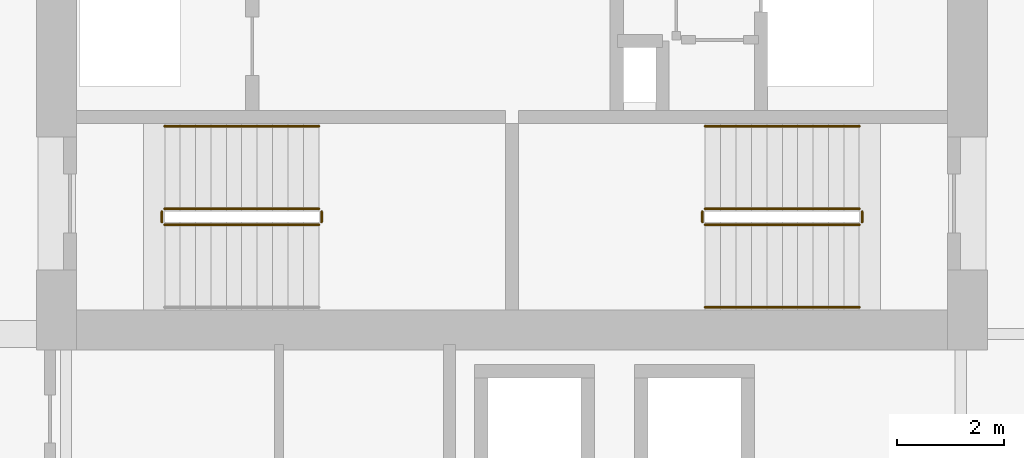
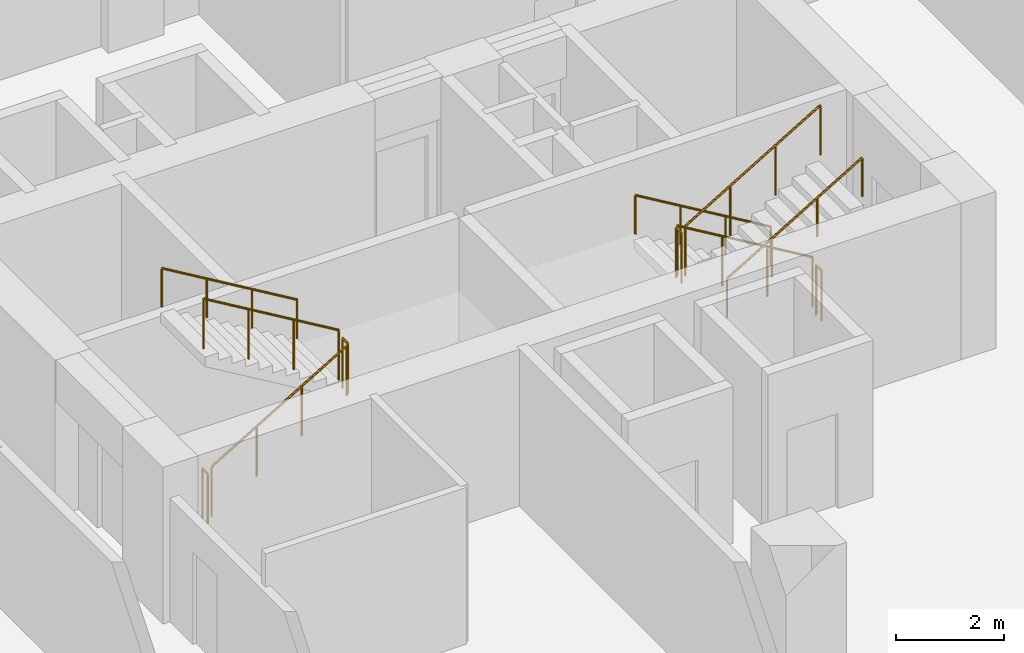
# One storey, part 15 of 17: 11 railings.
"""IFC4 building model written with IfcOpenShell, lengths in metres."""

from ifc_helpers import new_model, si_unit, direction, frame, origin, origin_2d, place, context, subcontext, project, spatial, circle, extrude, material, type_object, element, save


model = new_model("IFC4")

# Units and contexts
model_context = context("Model", 3, precision=1e-05, world=origin(), true_north=direction((0.0, 1.0)))
body_context = subcontext(model_context, "Body", "Model", "MODEL_VIEW")
ifc_project = project(units=[si_unit("LENGTHUNIT", "METRE"), si_unit("AREAUNIT", "SQUARE_METRE"), si_unit("VOLUMEUNIT", "CUBIC_METRE"), si_unit("PLANEANGLEUNIT", "RADIAN"), si_unit("MASSUNIT", "GRAM", prefix="KILO")], contexts=[model_context])

# Site, building, storey
site_placement = place(None, origin())
site = spatial("IfcSite", under=ifc_project, at=site_placement, CompositionType="ELEMENT")
building_placement = place(site_placement, origin())
building = spatial("IfcBuilding", under=site, at=building_placement, Name="Koriwani Terraces Tower", CompositionType="ELEMENT")
storey_placement = place(building_placement, frame((0.0, 0.0, 122.800048828125)))
storey = spatial("IfcBuildingStorey", under=building, at=storey_placement, Name="L29", CompositionType="ELEMENT", Elevation=122.800048828125)

# Railings
ifc_material = material(Name="Steel ASTM A572 Grade 50", Category="steel")
railing_type_1 = type_object("IfcRailingType", Name="GUARD_STAIR_WELL_1120", PredefinedType="GUARDRAIL", material=ifc_material)
railing_1_placement = place(storey_placement, frame((43.85009765625, 18.85009765625, 0.172607421875)))
element("IfcRailing", 1, at=railing_1_placement, inside=storey, type_object=railing_type_1, Name="L29 ST-E1 stair guard 1", PredefinedType="GUARDRAIL", context=body_context, shape_type="SweptSolid", body=[
    extrude(circle(Radius=0.02392578125, at=origin_2d()), frame((0.0, 0.0, 1.1259765625), z_axis=(0.859141464434, 0.0, 0.511738159696), x_axis=(0.0, 1.0, 0.0)), (0.0, 0.0, 1.0), 3.375244140625),
    extrude(circle(Radius=0.02099609375, at=origin_2d()), origin(), (0.0, 0.0, 1.0), 1.101806640625),
    extrude(circle(Radius=0.02099609375, at=origin_2d()), frame((0.966552734375, 0.0, 0.57568359375)), (0.0, 0.0, 1.0), 1.101806640625),
    extrude(circle(Radius=0.02099609375, at=origin_2d()), frame((1.933349609375, 0.0, 1.151611328125)), (0.0, 0.0, 1.0), 1.101806640625),
    extrude(circle(Radius=0.02099609375, at=origin_2d()), frame((2.89990234375, 0.0, 1.727294921875)), (0.0, 0.0, 1.0), 1.101806640625),
])
railing_2_placement = place(storey_placement, frame((46.800048828125, 18.89990234375, 1.89990234375)))
element("IfcRailing", 2, at=railing_2_placement, inside=storey, type_object=railing_type_1, Name="L29 ST-E1 stair guard 2", PredefinedType="GUARDRAIL", context=body_context, shape_type="SweptSolid", body=[
    extrude(circle(Radius=0.02392578125, at=origin_2d()), frame((0.0, 0.0, 1.1259765625), z_axis=(0.0, 1.0, 0.0), x_axis=(-1.0, 0.0, 0.0)), (0.0, 0.0, 1.0), 0.2001953125),
    extrude(circle(Radius=0.02099609375, at=origin_2d()), origin(), (0.0, 0.0, 1.0), 1.101806640625),
    extrude(circle(Radius=0.02099609375, at=origin_2d()), frame((0.0, 0.2001953125, 0.0)), (0.0, 0.0, 1.0), 1.101806640625),
])
railing_3_placement = place(storey_placement, frame((46.75, 19.14990234375, 2.07275390625)))
element("IfcRailing", 3, at=railing_3_placement, inside=storey, type_object=railing_type_1, Name="L29 ST-E1 stair guard 3", PredefinedType="GUARDRAIL", context=body_context, shape_type="SweptSolid", body=[
    extrude(circle(Radius=0.02392578125, at=origin_2d()), frame((0.0, 0.0, 1.1259765625), z_axis=(-0.859141464434, 0.0, 0.511738159696), x_axis=(0.0, -1.0, 0.0)), (0.0, 0.0, 1.0), 3.375244140625),
    extrude(circle(Radius=0.02099609375, at=origin_2d()), origin(), (0.0, 0.0, 1.0), 1.101806640625),
    extrude(circle(Radius=0.02099609375, at=origin_2d()), frame((-0.966552734375, 0.0, 0.57568359375)), (0.0, 0.0, 1.0), 1.101806640625),
    extrude(circle(Radius=0.02099609375, at=origin_2d()), frame((-1.933349609375, 0.0, 1.151611328125)), (0.0, 0.0, 1.0), 1.101806640625),
    extrude(circle(Radius=0.02099609375, at=origin_2d()), frame((-2.89990234375, 0.0, 1.727294921875)), (0.0, 0.0, 1.0), 1.101806640625),
])
railing_4_placement = place(storey_placement, frame((43.800048828125, 18.89990234375, 0.0)))
element("IfcRailing", 4, at=railing_4_placement, inside=storey, type_object=railing_type_1, Name="L29 ST-E1 stair guard 4", PredefinedType="GUARDRAIL", context=body_context, shape_type="SweptSolid", body=[
    extrude(circle(Radius=0.02392578125, at=origin_2d()), frame((0.0, 0.0, 1.1259765625), z_axis=(0.0, 1.0, 0.0), x_axis=(-1.0, 0.0, 0.0)), (0.0, 0.0, 1.0), 0.2001953125),
    extrude(circle(Radius=0.02099609375, at=origin_2d()), origin(), (0.0, 0.0, 1.0), 1.101806640625),
    extrude(circle(Radius=0.02099609375, at=origin_2d()), frame((0.0, 0.2001953125, 0.0)), (0.0, 0.0, 1.0), 1.101806640625),
])
railing_5_placement = place(storey_placement, frame((56.89990234375, 19.14990234375, 0.172607421875)))
element("IfcRailing", 5, at=railing_5_placement, inside=storey, type_object=railing_type_1, Name="L29 ST-E2 stair guard 1", PredefinedType="GUARDRAIL", context=body_context, shape_type="SweptSolid", body=[
    extrude(circle(Radius=0.02392578125, at=origin_2d()), frame((0.0, 0.0, 1.1259765625), z_axis=(-0.859141464434, 0.0, 0.511738159696), x_axis=(0.0, -1.0, 0.0)), (0.0, 0.0, 1.0), 3.375244140625),
    extrude(circle(Radius=0.02099609375, at=origin_2d()), origin(), (0.0, 0.0, 1.0), 1.101806640625),
    extrude(circle(Radius=0.02099609375, at=origin_2d()), frame((-0.966552734375, 0.0, 0.57568359375)), (0.0, 0.0, 1.0), 1.101806640625),
    extrude(circle(Radius=0.02099609375, at=origin_2d()), frame((-1.933349609375, 0.0, 1.151611328125)), (0.0, 0.0, 1.0), 1.101806640625),
    extrude(circle(Radius=0.02099609375, at=origin_2d()), frame((-2.89990234375, 0.0, 1.727294921875)), (0.0, 0.0, 1.0), 1.101806640625),
])
railing_6_placement = place(storey_placement, frame((53.949951171875, 19.10009765625, 1.89990234375)))
element("IfcRailing", 6, at=railing_6_placement, inside=storey, type_object=railing_type_1, Name="L29 ST-E2 stair guard 2", PredefinedType="GUARDRAIL", context=body_context, shape_type="SweptSolid", body=[
    extrude(circle(Radius=0.02392578125, at=origin_2d()), frame((0.0, 0.0, 1.1259765625), z_axis=(0.0, -1.0, 0.0), x_axis=(1.0, 0.0, 0.0)), (0.0, 0.0, 1.0), 0.2001953125),
    extrude(circle(Radius=0.02099609375, at=origin_2d()), origin(), (0.0, 0.0, 1.0), 1.101806640625),
    extrude(circle(Radius=0.02099609375, at=origin_2d()), frame((0.0, -0.2001953125, 0.0)), (0.0, 0.0, 1.0), 1.101806640625),
])
railing_7_placement = place(storey_placement, frame((54.0, 18.85009765625, 2.07275390625)))
element("IfcRailing", 7, at=railing_7_placement, inside=storey, type_object=railing_type_1, Name="L29 ST-E2 stair guard 3", PredefinedType="GUARDRAIL", context=body_context, shape_type="SweptSolid", body=[
    extrude(circle(Radius=0.02392578125, at=origin_2d()), frame((0.0, 0.0, 1.1259765625), z_axis=(0.859141464434, 0.0, 0.511738159696), x_axis=(0.0, 1.0, 0.0)), (0.0, 0.0, 1.0), 3.375244140625),
    extrude(circle(Radius=0.02099609375, at=origin_2d()), origin(), (0.0, 0.0, 1.0), 1.101806640625),
    extrude(circle(Radius=0.02099609375, at=origin_2d()), frame((0.966552734375, 0.0, 0.57568359375)), (0.0, 0.0, 1.0), 1.101806640625),
    extrude(circle(Radius=0.02099609375, at=origin_2d()), frame((1.933349609375, 0.0, 1.151611328125)), (0.0, 0.0, 1.0), 1.101806640625),
    extrude(circle(Radius=0.02099609375, at=origin_2d()), frame((2.89990234375, 0.0, 1.727294921875)), (0.0, 0.0, 1.0), 1.101806640625),
])
railing_8_placement = place(storey_placement, frame((56.949951171875, 19.10009765625, 0.0)))
element("IfcRailing", 8, at=railing_8_placement, inside=storey, type_object=railing_type_1, Name="L29 ST-E2 stair guard 4", PredefinedType="GUARDRAIL", context=body_context, shape_type="SweptSolid", body=[
    extrude(circle(Radius=0.02392578125, at=origin_2d()), frame((0.0, 0.0, 1.1259765625), z_axis=(0.0, -1.0, 0.0), x_axis=(1.0, 0.0, 0.0)), (0.0, 0.0, 1.0), 0.2001953125),
    extrude(circle(Radius=0.02099609375, at=origin_2d()), origin(), (0.0, 0.0, 1.0), 1.101806640625),
    extrude(circle(Radius=0.02099609375, at=origin_2d()), frame((0.0, -0.2001953125, 0.0)), (0.0, 0.0, 1.0), 1.101806640625),
])
railing_type_2 = type_object("IfcRailingType", Name="HANDRAIL_STAIR_920", PredefinedType="HANDRAIL", material=ifc_material)
for number, where, name in (
    (9, (46.75, 20.699951171875, 2.07275390625), "L29 ST-E1 stair handrail 2"),
    (10, (56.89990234375, 20.699951171875, 0.172607421875), "L29 ST-E2 stair handrail 1"),
):
    element("IfcRailing", number, at=place(storey_placement, frame(where)), inside=storey, type_object=railing_type_2, Name=name, PredefinedType="HANDRAIL", context=body_context, shape_type="SweptSolid", body=[
        extrude(circle(Radius=0.02392578125, at=origin_2d()), frame((0.0, 0.0, 0.8759765625), z_axis=(-0.859141464434, 0.0, 0.511738159696), x_axis=(0.0, -1.0, 0.0)), (0.0, 0.0, 1.0), 3.375244140625),
        extrude(circle(Radius=0.02099609375, at=origin_2d()), origin(), (0.0, 0.0, 1.0), 0.851806640625),
        extrude(circle(Radius=0.02099609375, at=origin_2d()), frame((-0.966552734375, 0.0, 0.57568359375)), (0.0, 0.0, 1.0), 0.851806640625),
        extrude(circle(Radius=0.02099609375, at=origin_2d()), frame((-1.933349609375, 0.0, 1.151611328125)), (0.0, 0.0, 1.0), 0.851806640625),
        extrude(circle(Radius=0.02099609375, at=origin_2d()), frame((-2.89990234375, 0.0, 1.727294921875)), (0.0, 0.0, 1.0), 0.851806640625),
    ])
railing_9_placement = place(storey_placement, frame((54.0, 17.300048828125, 2.07275390625)))
element("IfcRailing", 11, at=railing_9_placement, inside=storey, type_object=railing_type_2, Name="L29 ST-E2 stair handrail 2", PredefinedType="HANDRAIL", context=body_context, shape_type="SweptSolid", body=[
    extrude(circle(Radius=0.02392578125, at=origin_2d()), frame((0.0, 0.0, 0.8759765625), z_axis=(0.859141464434, 0.0, 0.511738159696), x_axis=(0.0, 1.0, 0.0)), (0.0, 0.0, 1.0), 3.375244140625),
    extrude(circle(Radius=0.02099609375, at=origin_2d()), origin(), (0.0, 0.0, 1.0), 0.851806640625),
    extrude(circle(Radius=0.02099609375, at=origin_2d()), frame((0.966552734375, 0.0, 0.57568359375)), (0.0, 0.0, 1.0), 0.851806640625),
    extrude(circle(Radius=0.02099609375, at=origin_2d()), frame((1.933349609375, 0.0, 1.151611328125)), (0.0, 0.0, 1.0), 0.851806640625),
    extrude(circle(Radius=0.02099609375, at=origin_2d()), frame((2.89990234375, 0.0, 1.727294921875)), (0.0, 0.0, 1.0), 0.851806640625),
])

save(model, "model.ifc")
